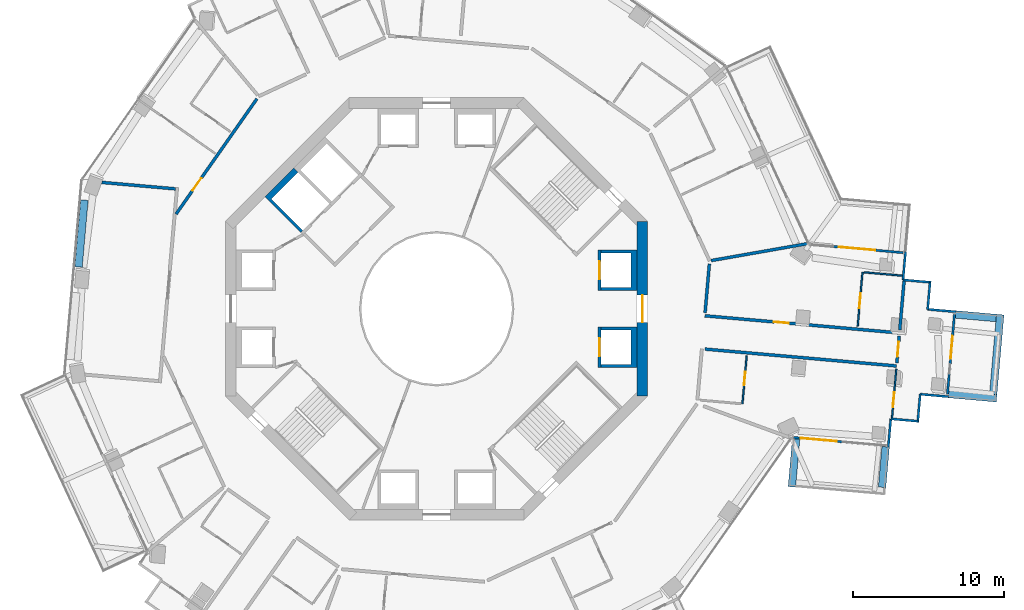
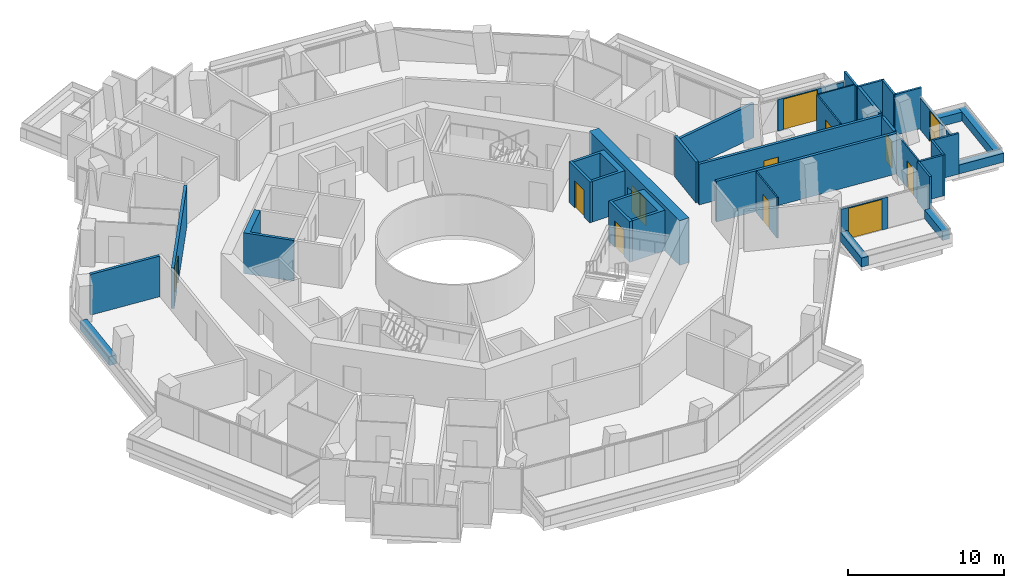
# One storey, part 17 of 23: 36 walls, 12 doors, 12 openings.
"""IFC4 building model written with IfcOpenShell, lengths in metres."""

from ifc_helpers import new_model, si_unit, direction, frame, frame_2d, origin, place, context, subcontext, project, spatial, polyline, rectangle, outline, extrude, material, layer, layer_set, type_object, element, fill, save


model = new_model("IFC4")

# Units and contexts
model_context = context("Model", 3, precision=1e-05, world=origin(), true_north=direction((0.0, 1.0)))
body_context = subcontext(model_context, "Body", "Model", "MODEL_VIEW")
ifc_project = project(units=[si_unit("LENGTHUNIT", "METRE"), si_unit("AREAUNIT", "SQUARE_METRE"), si_unit("VOLUMEUNIT", "CUBIC_METRE"), si_unit("PLANEANGLEUNIT", "RADIAN"), si_unit("MASSUNIT", "GRAM", prefix="KILO")], contexts=[model_context])

# Site, building, storey
site_placement = place(None, origin())
site = spatial("IfcSite", under=ifc_project, at=site_placement, CompositionType="ELEMENT")
building_placement = place(site_placement, origin())
building = spatial("IfcBuilding", under=site, at=building_placement, Name="Verdalira Terraces Hotel", CompositionType="ELEMENT")
storey_placement = place(building_placement, frame((0.0, 0.0, 136.5)))
storey = spatial("IfcBuildingStorey", under=building, at=storey_placement, Name="L32", CompositionType="ELEMENT", Elevation=136.5)

# Walls
ifc_material_1 = material(Name="Concrete C40", Category="concrete")
ifc_layer_1 = layer(ifc_material_1, 0.5)
ifc_layer_set_1 = layer_set([ifc_layer_1], Name="Balcony planter trough with tree")
wall_type_1 = type_object("IfcWallType", Name="Balcony planter trough with tree", PredefinedType="SOLIDWALL", material=ifc_layer_set_1)
wall_1_placement = place(storey_placement, frame((23.842529, -8.628906, 0.0), z_axis=(0.0, 0.0, 1.0), x_axis=(-0.08783813, -0.996134761, 0.0)))
element("IfcWall", 1, at=wall_1_placement, inside=storey, type_object=wall_type_1, Name="Balcony planter", PredefinedType="SOLIDWALL", context=body_context, shape_type="SweptSolid", body=[
    extrude(rectangle(XDim=3.199219, YDim=0.5, at=frame_2d((1.599609, 0.0))), origin(), (0.0, 0.0, 1.0), 0.699951),
])
wall_2_placement = place(storey_placement, frame((29.545898, -11.841309, 0.0), z_axis=(0.0, 0.0, 1.0), x_axis=(0.08783573, 0.996134973, 0.0)))
element("IfcWall", 2, at=wall_2_placement, inside=storey, type_object=wall_type_1, Name="Balcony planter", PredefinedType="SOLIDWALL", context=body_context, shape_type="SweptSolid", body=[
    extrude(rectangle(XDim=2.698975, YDim=0.5, at=frame_2d((1.349609, 0.0))), origin(), (0.0, 0.0, 1.0), 0.699951),
])
wall_3_placement = place(storey_placement, frame((33.957275, -5.655029, 0.0), z_axis=(0.0, 0.0, 1.0), x_axis=(0.996134761, -0.08783813, 0.0)))
element("IfcWall", 3, at=wall_3_placement, inside=storey, type_object=wall_type_1, Name="Balcony planter", PredefinedType="SOLIDWALL", context=body_context, shape_type="SweptSolid", body=[
    extrude(rectangle(XDim=3.199219, YDim=0.5, at=frame_2d((1.599609, 0.0))), origin(), (0.0, 0.0, 1.0), 0.699951),
])
wall_4_placement = place(storey_placement, frame((36.916992, -5.665039, 0.0), z_axis=(0.0, 0.0, 1.0), x_axis=(0.087844069, 0.996134238, 0.0)))
element("IfcWall", 4, at=wall_4_placement, inside=storey, type_object=wall_type_1, Name="Balcony planter", PredefinedType="SOLIDWALL", context=body_context, shape_type="SweptSolid", body=[
    extrude(rectangle(XDim=5.300049, YDim=0.5, at=frame_2d((2.649902, 0.0))), origin(), (0.0, 0.0, 1.0), 0.699951),
])
wall_5_placement = place(storey_placement, frame((37.111572, -0.612549, 0.0), z_axis=(0.0, 0.0, 1.0), x_axis=(-0.996134973, 0.08783573, 0.0)))
element("IfcWall", 5, at=wall_5_placement, inside=storey, type_object=wall_type_1, Name="Balcony planter", PredefinedType="SOLIDWALL", context=body_context, shape_type="SweptSolid", body=[
    extrude(rectangle(XDim=2.698975, YDim=0.5, at=frame_2d((1.349609, 0.0))), origin(), (0.0, 0.0, 1.0), 0.699951),
])

# Wall, opening, door
ifc_material_2 = material(Name="Moisture-resistant gypsum board partition")
ifc_layer_2 = layer(ifc_material_2, 0.10009765625)
ifc_layer_set_2 = layer_set([ifc_layer_2], Name="Bathroom partition 100 mm")
wall_type_2 = type_object("IfcWallType", Name="Bathroom partition 100 mm", PredefinedType="PARTITIONING", material=ifc_layer_set_2)
wall_6_placement = place(storey_placement, frame((20.282715, -6.306152, 0.0), z_axis=(0.0, 0.0, 1.0), x_axis=(0.08789381, 0.99612985, 0.0)))
wall_6 = element("IfcWall", 6, at=wall_6_placement, inside=storey, type_object=wall_type_2, Name="Bathroom partition", PredefinedType="PARTITIONING", context=body_context, shape_type="SweptSolid", body=[
    extrude(rectangle(XDim=3.199951, YDim=0.100098, at=frame_2d((1.600098, 0.0))), origin(), (0.0, 0.0, 1.0), 3.189941),
])
opening_1_placement = place(wall_6_placement, frame((1.25, 0.0, 0.0)))
opening_1 = element("IfcOpeningElement", 7, at=opening_1_placement, cuts=wall_6, Name="Opening L32-123", PredefinedType="OPENING", context=body_context, shape_type="SweptSolid", body=[
    extrude(rectangle(XDim=0.899902, YDim=2.100098, at=frame_2d((0.449951, 1.050049))), frame((0.0, 0.060059, 0.0), z_axis=(0.0, -1.0, 0.0), x_axis=(1.0, 0.0, 0.0)), (0.0, 0.0, 1.0), 0.120117),
])
ifc_material_3 = material(Name="Timber door", Category="wood")
door_type_1 = type_object("IfcDoorType", Name="Bathroom door 900 x 2100", OperationType="NOTDEFINED", PredefinedType="DOOR", material=ifc_material_3)
door_1_placement = place(opening_1_placement, origin())
door_1 = element("IfcDoor", 8, at=door_1_placement, inside=storey, type_object=door_type_1, Name="Bathroom door 3208", OperationType="SINGLE_SWING_LEFT", OverallHeight=2.10009765625, OverallWidth=0.89990234375, PredefinedType="DOOR", context=body_context, shape_type="SweptSolid", body=[
    extrude(rectangle(XDim=0.899902, YDim=2.100098, at=frame_2d((0.449951, 1.050049))), frame((0.0, 0.024902, 0.0), z_axis=(0.0, -1.0, 0.0), x_axis=(1.0, 0.0, 0.0)), (0.0, 0.0, 1.0), 0.050049),
])
fill(opening_1, door_1)

wall_7_placement = place(storey_placement, frame((28.244385, 2.427979, 0.0), z_axis=(0.0, 0.0, 1.0), x_axis=(-0.08789381, -0.99612985, 0.0)))
wall_7 = element("IfcWall", 9, at=wall_7_placement, inside=storey, type_object=wall_type_2, Name="Bathroom partition", PredefinedType="PARTITIONING", context=body_context, shape_type="SweptSolid", body=[
    extrude(rectangle(XDim=3.599854, YDim=0.100098, at=frame_2d((1.799805, 0.0))), origin(), (0.0, 0.0, 1.0), 3.189941),
])
opening_2_placement = place(wall_7_placement, frame((1.399902, 0.0, 0.0)))
opening_2 = element("IfcOpeningElement", 10, at=opening_2_placement, cuts=wall_7, Name="Opening L32-125", PredefinedType="OPENING", context=body_context, shape_type="SweptSolid", body=[
    extrude(rectangle(XDim=1.0, YDim=2.100098, at=frame_2d((0.5, 1.050049))), frame((0.0, 0.060059, 0.0), z_axis=(0.0, -1.0, 0.0), x_axis=(1.0, 0.0, 0.0)), (0.0, 0.0, 1.0), 0.120117),
])
ifc_material_4 = material(Name="Timber door", Category="wood")
door_type_2 = type_object("IfcDoorType", Name="Bathroom door 1000 x 2100", OperationType="NOTDEFINED", PredefinedType="DOOR", material=ifc_material_4)
door_2_placement = place(opening_2_placement, origin())
door_2 = element("IfcDoor", 11, at=door_2_placement, inside=storey, type_object=door_type_2, Name="Bathroom door 3209", OperationType="SINGLE_SWING_LEFT", OverallHeight=2.10009765625, OverallWidth=1.0, PredefinedType="DOOR", context=body_context, shape_type="SweptSolid", body=[
    extrude(rectangle(XDim=1.0, YDim=2.100098, at=frame_2d((0.5, 1.050049))), frame((0.0, 0.024902, 0.0), z_axis=(0.0, -1.0, 0.0), x_axis=(1.0, 0.0, 0.0)), (0.0, 0.0, 1.0), 0.050049),
])
fill(opening_2, door_2)

# Wall
wall_8_placement = place(storey_placement, frame((28.343994, 2.419189, 0.0), z_axis=(0.0, 0.0, 1.0), x_axis=(0.996138228, -0.087798804, 0.0)))
element("IfcWall", 12, at=wall_8_placement, inside=storey, type_object=wall_type_2, Name="Bathroom partition", PredefinedType="PARTITIONING", context=body_context, shape_type="SweptSolid", body=[
    extrude(rectangle(XDim=2.549805, YDim=0.100098, at=frame_2d((1.274902, 0.0))), origin(), (0.0, 0.0, 1.0), 3.189941),
])

# Wall, opening, door
wall_9_placement = place(storey_placement, frame((30.203125, -7.233398, 0.0), z_axis=(0.0, 0.0, 1.0), x_axis=(0.087909147, 0.996128497, 0.0)))
wall_9 = element("IfcWall", 13, at=wall_9_placement, inside=storey, type_object=wall_type_2, Name="Bathroom partition", PredefinedType="PARTITIONING", context=body_context, shape_type="SweptSolid", body=[
    extrude(rectangle(XDim=3.252197, YDim=0.100098, at=frame_2d((1.625977, 0.0))), origin(), (0.0, 0.0, 1.0), 3.189941),
])
opening_3_placement = place(wall_9_placement, frame((0.699951, 0.0, 0.0)))
opening_3 = element("IfcOpeningElement", 14, at=opening_3_placement, cuts=wall_9, Name="Opening L32-122", PredefinedType="OPENING", context=body_context, shape_type="SweptSolid", body=[
    extrude(rectangle(XDim=1.0, YDim=2.100098, at=frame_2d((0.5, 1.050049))), frame((0.0, 0.060059, 0.0), z_axis=(0.0, -1.0, 0.0), x_axis=(1.0, 0.0, 0.0)), (0.0, 0.0, 1.0), 0.120117),
])
ifc_material_5 = material(Name="Timber door", Category="wood")
door_type_3 = type_object("IfcDoorType", Name="Suite internal door 1000 x 2100", OperationType="NOTDEFINED", PredefinedType="DOOR", material=ifc_material_5)
door_3_placement = place(opening_3_placement, origin())
door_3 = element("IfcDoor", 15, at=door_3_placement, inside=storey, type_object=door_type_3, Name="Suite internal door 3208", OperationType="SINGLE_SWING_LEFT", OverallHeight=2.10009765625, OverallWidth=1.0, PredefinedType="DOOR", context=body_context, shape_type="SweptSolid", body=[
    extrude(rectangle(XDim=1.0, YDim=2.100098, at=frame_2d((0.5, 1.050049))), frame((0.0, 0.024902, 0.0), z_axis=(0.0, -1.0, 0.0), x_axis=(1.0, 0.0, 0.0)), (0.0, 0.0, 1.0), 0.050049),
])
fill(opening_3, door_3)

# Wall
ifc_material_6 = material(Name="Concrete C50", Category="concrete")
ifc_layer_3 = layer(ifc_material_6, 0.199951171875)
ifc_layer_set_3 = layer_set([ifc_layer_3], Name="Core RC wall 200 C50")
wall_type_3 = type_object("IfcWallType", Name="Core RC wall 200 C50", PredefinedType="SOLIDWALL", material=ifc_layer_set_3)
wall_10_placement = place(storey_placement, origin())
element("IfcWall", 16, at=wall_10_placement, inside=storey, type_object=wall_type_3, Name="L32 shaft wall E1", PredefinedType="SOLIDWALL", context=body_context, shape_type="SweptSolid", body=[
    extrude(outline(polyline([(13.300049, -3.899902), (10.899902, -3.899902), (10.899902, -3.699951), (12.899902, -3.699951), (12.899902, -1.399902), (10.899902, -1.399902), (10.899902, -1.199951), (13.300049, -1.199951), (13.300049, -3.899902)])), origin(), (0.0, 0.0, 1.0), 3.189941),
])

# Wall, opening, door
wall_11_placement = place(storey_placement, frame((10.800049, -1.199951, 0.0), z_axis=(0.0, 0.0, 1.0), x_axis=(0.0, -1.0, 0.0)))
wall_11 = element("IfcWall", 17, at=wall_11_placement, inside=storey, type_object=wall_type_3, Name="L32 shaft front wall E1", PredefinedType="SOLIDWALL", context=body_context, shape_type="SweptSolid", body=[
    extrude(rectangle(XDim=2.699951, YDim=0.199951, at=frame_2d((1.350098, 0.0))), origin(), (0.0, 0.0, 1.0), 3.189941),
])
opening_4_placement = place(wall_11_placement, frame((0.75, 0.0, 0.0)))
opening_4 = element("IfcOpeningElement", 18, at=opening_4_placement, cuts=wall_11, Name="Opening LD-L32-801", PredefinedType="OPENING", context=body_context, shape_type="SweptSolid", body=[
    extrude(rectangle(XDim=1.199951, YDim=2.100098, at=frame_2d((0.600098, 1.050049))), frame((0.0, 0.109863, 0.0), z_axis=(0.0, -1.0, 0.0), x_axis=(1.0, 0.0, 0.0)), (0.0, 0.0, 1.0), 0.219971),
])
ifc_material_7 = material(Name="Stainless steel", Category="steel")
door_type_4 = type_object("IfcDoorType", Name="Landing door 1200 x 2100", OperationType="NOTDEFINED", PredefinedType="DOOR", material=ifc_material_7)
door_4_placement = place(opening_4_placement, origin())
door_4 = element("IfcDoor", 19, at=door_4_placement, inside=storey, type_object=door_type_4, Name="Lift landing door LR1 L32", OperationType="DOUBLE_DOOR_SLIDING", OverallHeight=2.10009765625, OverallWidth=1.199951171875, PredefinedType="DOOR", context=body_context, shape_type="SweptSolid", body=[
    extrude(rectangle(XDim=1.199951, YDim=2.100098, at=frame_2d((0.600098, 1.050049))), frame((0.0, 0.024902, 0.0), z_axis=(0.0, -1.0, 0.0), x_axis=(1.0, 0.0, 0.0)), (0.0, 0.0, 1.0), 0.050049),
])
fill(opening_4, door_4)

# Wall
wall_12_placement = place(storey_placement, origin())
element("IfcWall", 20, at=wall_12_placement, inside=storey, type_object=wall_type_3, Name="L32 shaft wall E2", PredefinedType="SOLIDWALL", context=body_context, shape_type="SweptSolid", body=[
    extrude(outline(polyline([(13.300049, 3.899902), (13.300049, 1.199951), (10.899902, 1.199951), (10.899902, 1.399902), (12.899902, 1.399902), (12.899902, 3.699951), (10.899902, 3.699951), (10.899902, 3.899902), (13.300049, 3.899902)])), origin(), (0.0, 0.0, 1.0), 3.189941),
])

# Wall, opening, door
wall_13_placement = place(storey_placement, frame((10.800049, 1.199951, 0.0), z_axis=(0.0, 0.0, 1.0), x_axis=(0.0, 1.0, 0.0)))
wall_13 = element("IfcWall", 21, at=wall_13_placement, inside=storey, type_object=wall_type_3, Name="L32 shaft front wall E2", PredefinedType="SOLIDWALL", context=body_context, shape_type="SweptSolid", body=[
    extrude(rectangle(XDim=2.699951, YDim=0.199951, at=frame_2d((1.350098, 0.0))), origin(), (0.0, 0.0, 1.0), 3.189941),
])
opening_5_placement = place(wall_13_placement, frame((0.75, 0.0, 0.0)))
opening_5 = element("IfcOpeningElement", 22, at=opening_5_placement, cuts=wall_13, Name="Opening LD-L32-802", PredefinedType="OPENING", context=body_context, shape_type="SweptSolid", body=[
    extrude(rectangle(XDim=1.199951, YDim=2.100098, at=frame_2d((0.600098, 1.050049))), frame((0.0, 0.109863, 0.0), z_axis=(0.0, -1.0, 0.0), x_axis=(1.0, 0.0, 0.0)), (0.0, 0.0, 1.0), 0.219971),
])
door_5_placement = place(opening_5_placement, origin())
door_5 = element("IfcDoor", 23, at=door_5_placement, inside=storey, type_object=door_type_4, Name="Lift landing door LR2 L32", OperationType="DOUBLE_DOOR_SLIDING", OverallHeight=2.10009765625, OverallWidth=1.199951171875, PredefinedType="DOOR", context=body_context, shape_type="SweptSolid", body=[
    extrude(rectangle(XDim=1.199951, YDim=2.100098, at=frame_2d((0.600098, 1.050049))), frame((0.0, 0.024902, 0.0), z_axis=(0.0, -1.0, 0.0), x_axis=(1.0, 0.0, 0.0)), (0.0, 0.0, 1.0), 0.050049),
])
fill(opening_5, door_5)

# Wall
wall_14_placement = place(storey_placement, origin())
element("IfcWall", 24, at=wall_14_placement, inside=storey, type_object=wall_type_3, Name="L32 shaft wall F2", PredefinedType="SOLIDWALL", context=body_context, shape_type="SweptSolid", body=[
    extrude(outline(polyline([(-11.384521, 7.424561), (-9.475098, 9.33374), (-9.192383, 9.051025), (-10.960205, 7.283203), (-8.874268, 5.197266), (-9.015625, 5.055908), (-11.384521, 7.424561)])), origin(), (0.0, 0.0, 1.0), 3.189941),
])

# Wall, opening, door
ifc_material_8 = material(Name="Concrete C60", Category="concrete")
ifc_layer_4 = layer(ifc_material_8, 0.699951171875)
ifc_layer_set_4 = layer_set([ifc_layer_4], Name="Core wall 700 C60")
wall_type_4 = type_object("IfcWallType", Name="Core wall 700 C60", PredefinedType="SHEAR", material=ifc_layer_set_4)
wall_15_placement = place(storey_placement, frame((13.649902, -5.799072, 0.0), z_axis=(0.0, 0.0, 1.0), x_axis=(0.0, 1.0, 0.0)))
wall_15 = element("IfcWall", 25, at=wall_15_placement, inside=storey, type_object=wall_type_4, Name="Core wall CW-L32-1", PredefinedType="SHEAR", context=body_context, shape_type="SweptSolid", body=[
    extrude(rectangle(XDim=11.598145, YDim=0.699951, at=frame_2d((5.799072, 0.0))), origin(), (0.0, 0.0, 1.0), 3.5),
])
opening_6_placement = place(wall_15_placement, frame((4.898926, 0.0, 0.0)))
opening_6 = element("IfcOpeningElement", 26, at=opening_6_placement, cuts=wall_15, Name="Opening L32-812", PredefinedType="OPENING", context=body_context, shape_type="SweptSolid", body=[
    extrude(rectangle(XDim=1.800049, YDim=2.100098, at=frame_2d((0.899902, 1.050049))), frame((0.0, 0.359863, 0.0), z_axis=(0.0, -1.0, 0.0), x_axis=(1.0, 0.0, 0.0)), (0.0, 0.0, 1.0), 0.719971),
])
ifc_material_9 = material(Name="Steel fire door", Category="steel")
door_type_5 = type_object("IfcDoorType", Name="Core entry door pair 1800 x 2100", OperationType="NOTDEFINED", PredefinedType="DOOR", material=ifc_material_9)
door_6_placement = place(opening_6_placement, origin())
door_6 = element("IfcDoor", 27, at=door_6_placement, inside=storey, type_object=door_type_5, Name="Core entry door L32 0", OperationType="DOUBLE_DOOR_SINGLE_SWING", OverallHeight=2.10009765625, OverallWidth=1.800048828125, PredefinedType="DOOR", context=body_context, shape_type="SweptSolid", body=[
    extrude(rectangle(XDim=1.800049, YDim=2.100098, at=frame_2d((0.899902, 1.050049))), frame((0.0, 0.024902, 0.0), z_axis=(0.0, -1.0, 0.0), x_axis=(1.0, 0.0, 0.0)), (0.0, 0.0, 1.0), 0.050049),
])
fill(opening_6, door_6)

# Walls
ifc_material_10 = material(Name="Fire-rated gypsum board wall")
ifc_layer_5 = layer(ifc_material_10, 0.199951171875)
ifc_layer_set_5 = layer_set([ifc_layer_5], Name="Demising wall 200 mm")
wall_type_5 = type_object("IfcWallType", Name="Demising wall 200 mm", PredefinedType="SOLIDWALL", material=ifc_layer_set_5)
wall_16_placement = place(storey_placement, frame((30.717041, -1.406006, 0.0), z_axis=(0.0, 0.0, 1.0), x_axis=(0.087834654, 0.996135068, 0.0)))
element("IfcWall", 28, at=wall_16_placement, inside=storey, type_object=wall_type_5, Name="Demising wall", PredefinedType="SOLIDWALL", context=body_context, shape_type="SweptSolid", body=[
    extrude(rectangle(XDim=3.251953, YDim=0.199951, at=frame_2d((1.625977, 0.0))), origin(), (0.0, 0.0, 1.0), 3.189941),
])
ifc_material_11 = material(Name="Fire-rated gypsum board wall")
ifc_layer_6 = layer(ifc_material_11, 0.199951171875)
ifc_layer_set_6 = layer_set([ifc_layer_6], Name="Demising wall 200 mm to beam soffit")
wall_type_6 = type_object("IfcWallType", Name="Demising wall 200 mm to beam soffit", PredefinedType="SOLIDWALL", material=ifc_layer_set_6)
wall_17_placement = place(storey_placement, frame((18.209717, 3.197754, 0.0), z_axis=(0.0, 0.0, 1.0), x_axis=(0.984927066, 0.172970158, 0.0)))
element("IfcWall", 29, at=wall_17_placement, inside=storey, type_object=wall_type_6, Name="Demising wall", PredefinedType="SOLIDWALL", context=body_context, shape_type="SweptSolid", body=[
    extrude(rectangle(XDim=6.47583, YDim=0.199951, at=frame_2d((3.237793, 0.0))), origin(), (0.0, 0.0, 1.0), 2.689941),
])

# Wall, opening, door
ifc_material_12 = material(Name="Fire-rated gypsum board wall")
ifc_layer_7 = layer(ifc_material_12, 0.199951171875)
ifc_layer_set_7 = layer_set([ifc_layer_7], Name="Guest corridor wall 200 mm")
wall_type_7 = type_object("IfcWallType", Name="Guest corridor wall 200 mm", PredefinedType="SOLIDWALL", material=ifc_layer_set_7)
wall_18_placement = place(storey_placement, frame((-17.283203, 6.283691, 0.0), z_axis=(0.0, 0.0, 1.0), x_axis=(0.574151841, 0.81874884, 0.0)))
wall_18 = element("IfcWall", 30, at=wall_18_placement, inside=storey, type_object=wall_type_7, Name="Guest corridor wall", PredefinedType="SOLIDWALL", context=body_context, shape_type="SweptSolid", body=[
    extrude(rectangle(XDim=9.336426, YDim=0.199951, at=frame_2d((4.668213, 0.0))), origin(), (0.0, 0.0, 1.0), 3.189941),
])
opening_7_placement = place(wall_18_placement, frame((1.899902, 0.0, 0.0)))
opening_7 = element("IfcOpeningElement", 31, at=opening_7_placement, cuts=wall_18, Name="Opening L32-106", PredefinedType="OPENING", context=body_context, shape_type="SweptSolid", body=[
    extrude(rectangle(XDim=1.0, YDim=2.100098, at=frame_2d((0.5, 1.050049))), frame((0.0, 0.109863, 0.0), z_axis=(0.0, -1.0, 0.0), x_axis=(1.0, 0.0, 0.0)), (0.0, 0.0, 1.0), 0.219971),
])
ifc_material_13 = material(Name="Timber fire door", Category="wood")
door_type_6 = type_object("IfcDoorType", Name="Guest entry door 1000 x 2100", OperationType="NOTDEFINED", PredefinedType="DOOR", material=ifc_material_13)
door_7_placement = place(opening_7_placement, origin())
door_7 = element("IfcDoor", 32, at=door_7_placement, inside=storey, type_object=door_type_6, Name="Guest entry door 3203", OperationType="SINGLE_SWING_LEFT", OverallHeight=2.10009765625, OverallWidth=1.0, PredefinedType="DOOR", context=body_context, shape_type="SweptSolid", body=[
    extrude(rectangle(XDim=1.0, YDim=2.100098, at=frame_2d((0.5, 1.050049))), frame((0.0, 0.024902, 0.0), z_axis=(0.0, -1.0, 0.0), x_axis=(1.0, 0.0, 0.0)), (0.0, 0.0, 1.0), 0.050049),
])
fill(opening_7, door_7)

# Walls
wall_19_placement = place(storey_placement, frame((17.803955, -0.265137, 0.0), z_axis=(0.0, 0.0, 1.0), x_axis=(0.087812903, 0.996136986, 0.0)))
element("IfcWall", 33, at=wall_19_placement, inside=storey, type_object=wall_type_7, Name="Guest corridor wall", PredefinedType="SOLIDWALL", context=body_context, shape_type="SweptSolid", body=[
    extrude(rectangle(XDim=3.258545, YDim=0.199951, at=frame_2d((1.629395, 0.0))), origin(), (0.0, 0.0, 1.0), 3.189941),
])
wall_20_placement = place(storey_placement, frame((17.792236, -2.67334, 0.0), z_axis=(0.0, 0.0, 1.0), x_axis=(0.996133396, -0.087853617, 0.0)))
element("IfcWall", 34, at=wall_20_placement, inside=storey, type_object=wall_type_7, Name="Guest corridor wall", PredefinedType="SOLIDWALL", context=body_context, shape_type="SweptSolid", body=[
    extrude(rectangle(XDim=12.763672, YDim=0.199951, at=frame_2d((6.381836, 0.0))), origin(), (0.0, 0.0, 1.0), 3.189941),
])

# Wall, opening, door
wall_21_placement = place(storey_placement, frame((17.786377, -0.464355, 0.0), z_axis=(0.0, 0.0, 1.0), x_axis=(0.996133196, -0.087855886, 0.0)))
wall_21 = element("IfcWall", 35, at=wall_21_placement, inside=storey, type_object=wall_type_7, Name="Guest corridor wall", PredefinedType="SOLIDWALL", context=body_context, shape_type="SweptSolid", body=[
    extrude(rectangle(XDim=12.963379, YDim=0.199951, at=frame_2d((6.481689, 0.0))), origin(), (0.0, 0.0, 1.0), 3.189941),
])
opening_8_placement = place(wall_21_placement, frame((4.600098, 0.0, 0.0)))
opening_8 = element("IfcOpeningElement", 36, at=opening_8_placement, cuts=wall_21, Name="Opening L32-124", PredefinedType="OPENING", context=body_context, shape_type="SweptSolid", body=[
    extrude(rectangle(XDim=1.0, YDim=2.100098, at=frame_2d((0.5, 1.050049))), frame((0.0, 0.109863, 0.0), z_axis=(0.0, -1.0, 0.0), x_axis=(1.0, 0.0, 0.0)), (0.0, 0.0, 1.0), 0.219971),
])
door_8_placement = place(opening_8_placement, origin())
door_8 = element("IfcDoor", 37, at=door_8_placement, inside=storey, type_object=door_type_6, Name="Guest entry door 3209", OperationType="SINGLE_SWING_LEFT", OverallHeight=2.10009765625, OverallWidth=1.0, PredefinedType="DOOR", context=body_context, shape_type="SweptSolid", body=[
    extrude(rectangle(XDim=1.0, YDim=2.100098, at=frame_2d((0.5, 1.050049))), frame((0.0, 0.024902, 0.0), z_axis=(0.0, -1.0, 0.0), x_axis=(1.0, 0.0, 0.0)), (0.0, 0.0, 1.0), 0.050049),
])
fill(opening_8, door_8)

wall_22_placement = place(storey_placement, frame((30.682373, -1.800293, 0.0), z_axis=(0.0, 0.0, 1.0), x_axis=(-0.08782667, -0.996135772, 0.0)))
wall_22 = element("IfcWall", 38, at=wall_22_placement, inside=storey, type_object=wall_type_7, Name="Guest corridor wall", PredefinedType="SOLIDWALL", context=body_context, shape_type="SweptSolid", body=[
    extrude(rectangle(XDim=1.804199, YDim=0.199951, at=frame_2d((0.9021, 0.0))), origin(), (0.0, 0.0, 1.0), 3.189941),
])
opening_9_placement = place(wall_22_placement, frame((0.399902, 0.0, 0.0)))
opening_9 = element("IfcOpeningElement", 39, at=opening_9_placement, cuts=wall_22, Name="Opening L32-121", PredefinedType="OPENING", context=body_context, shape_type="SweptSolid", body=[
    extrude(rectangle(XDim=1.0, YDim=2.100098, at=frame_2d((0.5, 1.050049))), frame((0.0, 0.109863, 0.0), z_axis=(0.0, -1.0, 0.0), x_axis=(1.0, 0.0, 0.0)), (0.0, 0.0, 1.0), 0.219971),
])
door_9_placement = place(opening_9_placement, origin())
door_9 = element("IfcDoor", 40, at=door_9_placement, inside=storey, type_object=door_type_6, Name="Guest entry door 3208", OperationType="SINGLE_SWING_LEFT", OverallHeight=2.10009765625, OverallWidth=1.0, PredefinedType="DOOR", context=body_context, shape_type="SweptSolid", body=[
    extrude(rectangle(XDim=1.0, YDim=2.100098, at=frame_2d((0.5, 1.050049))), frame((0.0, 0.024902, 0.0), z_axis=(0.0, -1.0, 0.0), x_axis=(1.0, 0.0, 0.0)), (0.0, 0.0, 1.0), 0.050049),
])
fill(opening_9, door_9)

# Walls
ifc_material_14 = material(Name="Terracotta cladding", Category="masonry")
ifc_layer_8 = layer(ifc_material_14, 0.199951171875)
ifc_layer_set_8 = layer_set([ifc_layer_8], Name="Loggia back wall 200")
wall_type_8 = type_object("IfcWallType", Name="Loggia back wall 200", PredefinedType="SOLIDWALL", material=ifc_layer_set_8)
wall_23_placement = place(storey_placement, frame((-22.211914, 8.383789, 0.0), z_axis=(0.0, 0.0, 1.0), x_axis=(0.996132413, -0.087864753, 0.0)))
element("IfcWall", 41, at=wall_23_placement, inside=storey, type_object=wall_type_8, Name="Loggia side wall", PredefinedType="SOLIDWALL", context=body_context, shape_type="SweptSolid", body=[
    extrude(rectangle(XDim=4.904297, YDim=0.199951, at=frame_2d((2.452148, 0.0))), origin(), (0.0, 0.0, 1.0), 3.189941),
])
ifc_material_15 = material(Name="Concrete C40", Category="concrete")
ifc_layer_9 = layer(ifc_material_15, 0.5)
ifc_layer_set_9 = layer_set([ifc_layer_9], Name="Loggia planter trough with tree")
wall_type_9 = type_object("IfcWallType", Name="Loggia planter trough with tree", PredefinedType="SOLIDWALL", material=ifc_layer_set_9)
wall_24_placement = place(storey_placement, frame((-23.36499, 7.212646, 0.0), z_axis=(0.0, 0.0, 1.0), x_axis=(-0.087858642, -0.996132953, 0.0)))
element("IfcWall", 42, at=wall_24_placement, inside=storey, type_object=wall_type_9, Name="Loggia planter", PredefinedType="SOLIDWALL", context=body_context, shape_type="SweptSolid", body=[
    extrude(rectangle(XDim=4.457275, YDim=0.5, at=frame_2d((2.228516, 0.0))), origin(), (0.0, 0.0, 1.0), 0.699951),
])
ifc_material_16 = material(Name="Terracotta cladding", Category="masonry")
ifc_layer_10 = layer(ifc_material_16, 0.14990234375)
ifc_layer_set_10 = layer_set([ifc_layer_10], Name="Terracotta clad wall 150")
wall_type_10 = type_object("IfcWallType", Name="Terracotta clad wall 150", PredefinedType="SOLIDWALL", material=ifc_layer_set_10)
wall_25_placement = place(storey_placement, frame((29.957275, -9.167236, 0.0), z_axis=(0.0, 0.0, 1.0), x_axis=(0.08789381, 0.99612985, 0.0)))
element("IfcWall", 43, at=wall_25_placement, inside=storey, type_object=wall_type_10, Name="Terracotta cladding wall", PredefinedType="SOLIDWALL", context=body_context, shape_type="SweptSolid", body=[
    extrude(rectangle(XDim=1.875, YDim=0.149902, at=frame_2d((0.9375, 0.0))), origin(), (0.0, 0.0, 1.0), 3.189941),
])
wall_26_placement = place(storey_placement, frame((30.12207, -7.299561, 0.0), z_axis=(0.0, 0.0, 1.0), x_axis=(0.996141717, -0.087759217, 0.0)))
element("IfcWall", 44, at=wall_26_placement, inside=storey, type_object=wall_type_10, Name="Terracotta cladding wall", PredefinedType="SOLIDWALL", context=body_context, shape_type="SweptSolid", body=[
    extrude(rectangle(XDim=1.799805, YDim=0.149902, at=frame_2d((0.899902, 0.0))), origin(), (0.0, 0.0, 1.0), 3.189941),
])
for number, where, z_axis, x_axis, name in (
    (45, (31.908447, -7.532227, 0.0), (0.0, 0.0, 1.0), (0.08789381, 0.99612985, 0.0), "Terracotta cladding wall"),
    (46, (32.073242, -5.664551, 0.0), (0.0, 0.0, 1.0), (0.99612985, -0.08789381, 0.0), "Terracotta cladding wall"),
    (47, (34.437256, -0.201172, 0.0), (0.0, 0.0, 1.0), (-0.99612985, 0.08789381, 0.0), "Terracotta cladding wall"),
):
    element("IfcWall", number, at=place(storey_placement, frame(where, z_axis=z_axis, x_axis=x_axis)), inside=storey, type_object=wall_type_10, Name=name, PredefinedType="SOLIDWALL", context=body_context, shape_type="SweptSolid", body=[
        extrude(rectangle(XDim=1.875, YDim=0.149902, at=frame_2d((0.9375, 0.0))), origin(), (0.0, 0.0, 1.0), 3.189941),
    ])
wall_27_placement = place(storey_placement, frame((32.56958, -0.036377, 0.0), z_axis=(0.0, 0.0, 1.0), x_axis=(0.08789381, 0.99612985, 0.0)))
element("IfcWall", 48, at=wall_27_placement, inside=storey, type_object=wall_type_10, Name="Terracotta cladding wall", PredefinedType="SOLIDWALL", context=body_context, shape_type="SweptSolid", body=[
    extrude(rectangle(XDim=1.800049, YDim=0.149902, at=frame_2d((0.899902, 0.0))), origin(), (0.0, 0.0, 1.0), 3.189941),
])
for number, where, z_axis, x_axis, name in (
    (49, (32.80249, 1.75, 0.0), (0.0, 0.0, 1.0), (-0.99612985, 0.08789381, 0.0), "Terracotta cladding wall"),
    (50, (30.934814, 1.914795, 0.0), (0.0, 0.0, 1.0), (0.087764601, 0.996141242, 0.0), "Terracotta cladding wall"),
):
    element("IfcWall", number, at=place(storey_placement, frame(where, z_axis=z_axis, x_axis=x_axis)), inside=storey, type_object=wall_type_10, Name=name, PredefinedType="SOLIDWALL", context=body_context, shape_type="SweptSolid", body=[
        extrude(rectangle(XDim=1.875, YDim=0.149902, at=frame_2d((0.9375, 0.0))), origin(), (0.0, 0.0, 1.0), 3.189941),
    ])
ifc_material_17 = material(Name="Terracotta cladding", Category="masonry")
ifc_layer_11 = layer(ifc_material_17, 0.14990234375)
ifc_layer_set_11 = layer_set([ifc_layer_11], Name="Terracotta column pier 150")
wall_type_11 = type_object("IfcWallType", Name="Terracotta column pier 150", PredefinedType="SOLIDWALL", material=ifc_layer_set_11)
wall_28_placement = place(storey_placement, frame((33.879883, -5.668213, 0.0), z_axis=(0.0, 0.0, 1.0), x_axis=(0.087883468, 0.996130763, 0.0)))
element("IfcWall", 51, at=wall_28_placement, inside=storey, type_object=wall_type_11, Name="Terracotta column pier", PredefinedType="SOLIDWALL", context=body_context, shape_type="SweptSolid", body=[
    extrude(rectangle(XDim=1.37793, YDim=0.149902, at=frame_2d((0.688965, 0.0))), origin(), (0.0, 0.0, 1.0), 2.475098),
])

# Wall, opening, door
ifc_material_18 = material(Name="Terracotta cladding", Category="masonry")
ifc_layer_12 = layer(ifc_material_18, 0.14990234375)
ifc_layer_set_12 = layer_set([ifc_layer_12], Name="Terracotta door pier 150")
wall_type_12 = type_object("IfcWallType", Name="Terracotta door pier 150", PredefinedType="SOLIDWALL", material=ifc_layer_set_12)
wall_29_placement = place(storey_placement, frame((23.669922, -8.537354, 0.0), z_axis=(0.0, 0.0, 1.0), x_axis=(0.99613443, -0.087841889, 0.0)))
wall_29 = element("IfcWall", 52, at=wall_29_placement, inside=storey, type_object=wall_type_12, Name="Terracotta door pier", PredefinedType="SOLIDWALL", context=body_context, shape_type="SweptSolid", body=[
    extrude(rectangle(XDim=3.293457, YDim=0.149902, at=frame_2d((1.646729, 0.0))), origin(), (0.0, 0.0, 1.0), 2.475098),
])
opening_10_placement = place(wall_29_placement, frame((0.493652, 0.0, 0.0)))
opening_10 = element("IfcOpeningElement", 53, at=opening_10_placement, cuts=wall_29, Name="Opening L32-B08", PredefinedType="OPENING", context=body_context, shape_type="SweptSolid", body=[
    extrude(rectangle(XDim=2.399902, YDim=2.399902, at=frame_2d((1.199951, 1.199951))), frame((0.0, 0.084961, 0.0), z_axis=(0.0, -1.0, 0.0), x_axis=(1.0, 0.0, 0.0)), (0.0, 0.0, 1.0), 0.169922),
])
ifc_material_19 = material(Name="Clear glass", Category="glass")
door_type_7 = type_object("IfcDoorType", Name="Balcony sliding door 2400x2400", OperationType="NOTDEFINED", PredefinedType="DOOR", material=ifc_material_19)
door_10_placement = place(opening_10_placement, origin())
door_10 = element("IfcDoor", 54, at=door_10_placement, inside=storey, type_object=door_type_7, Name="Balcony sliding door", OperationType="SLIDING_TO_LEFT", OverallHeight=2.39990234375, OverallWidth=2.39990234375, PredefinedType="DOOR", context=body_context, shape_type="SweptSolid", body=[
    extrude(rectangle(XDim=2.399902, YDim=2.399902, at=frame_2d((1.199951, 1.199951))), frame((0.0, 0.024902, 0.0), z_axis=(0.0, -1.0, 0.0), x_axis=(1.0, 0.0, 0.0)), (0.0, 0.0, 1.0), 0.050049),
])
fill(opening_10, door_10)

wall_30_placement = place(storey_placement, frame((34.053955, -3.696045, 0.0), z_axis=(0.0, 0.0, 1.0), x_axis=(0.087842919, 0.996134339, 0.0)))
wall_30 = element("IfcWall", 55, at=wall_30_placement, inside=storey, type_object=wall_type_12, Name="Terracotta door pier", PredefinedType="SOLIDWALL", context=body_context, shape_type="SweptSolid", body=[
    extrude(rectangle(XDim=3.360107, YDim=0.149902, at=frame_2d((1.680176, 0.0))), origin(), (0.0, 0.0, 1.0), 2.475098),
])
opening_11_placement = place(wall_30_placement, frame((0.399902, 0.0, 0.0)))
opening_11 = element("IfcOpeningElement", 56, at=opening_11_placement, cuts=wall_30, Name="Opening L32-B09", PredefinedType="OPENING", context=body_context, shape_type="SweptSolid", body=[
    extrude(rectangle(XDim=1.5, YDim=2.399902, at=frame_2d((0.75, 1.199951))), frame((0.0, 0.084961, 0.0), z_axis=(0.0, -1.0, 0.0), x_axis=(1.0, 0.0, 0.0)), (0.0, 0.0, 1.0), 0.169922),
])
ifc_material_20 = material(Name="Clear glass", Category="glass")
door_type_8 = type_object("IfcDoorType", Name="Balcony sliding door 1500x2400", OperationType="NOTDEFINED", PredefinedType="DOOR", material=ifc_material_20)
door_11_placement = place(opening_11_placement, origin())
door_11 = element("IfcDoor", 57, at=door_11_placement, inside=storey, type_object=door_type_8, Name="Balcony sliding door", OperationType="SLIDING_TO_RIGHT", OverallHeight=2.39990234375, OverallWidth=1.5, PredefinedType="DOOR", context=body_context, shape_type="SweptSolid", body=[
    extrude(rectangle(XDim=1.5, YDim=2.399902, at=frame_2d((0.75, 1.199951))), frame((0.0, 0.024902, 0.0), z_axis=(0.0, -1.0, 0.0), x_axis=(1.0, 0.0, 0.0)), (0.0, 0.0, 1.0), 0.050049),
])
fill(opening_11, door_11)

wall_31_placement = place(storey_placement, frame((30.948486, 3.720459, 0.0), z_axis=(0.0, 0.0, 1.0), x_axis=(-0.996133076, 0.087857246, 0.0)))
wall_31 = element("IfcWall", 58, at=wall_31_placement, inside=storey, type_object=wall_type_12, Name="Terracotta door pier", PredefinedType="SOLIDWALL", context=body_context, shape_type="SweptSolid", body=[
    extrude(rectangle(XDim=4.676758, YDim=0.149902, at=frame_2d((2.338379, 0.0))), origin(), (0.0, 0.0, 1.0), 2.475098),
])
opening_12_placement = place(wall_31_placement, frame((1.876709, 0.0, 0.0)))
opening_12 = element("IfcOpeningElement", 59, at=opening_12_placement, cuts=wall_31, Name="Opening L32-B10", PredefinedType="OPENING", context=body_context, shape_type="SweptSolid", body=[
    extrude(rectangle(XDim=2.399902, YDim=2.399902, at=frame_2d((1.199951, 1.199951))), frame((0.0, 0.084961, 0.0), z_axis=(0.0, -1.0, 0.0), x_axis=(1.0, 0.0, 0.0)), (0.0, 0.0, 1.0), 0.169922),
])
door_12_placement = place(opening_12_placement, origin())
door_12 = element("IfcDoor", 60, at=door_12_placement, inside=storey, type_object=door_type_7, Name="Balcony sliding door", OperationType="SLIDING_TO_LEFT", OverallHeight=2.39990234375, OverallWidth=2.39990234375, PredefinedType="DOOR", context=body_context, shape_type="SweptSolid", body=[
    extrude(rectangle(XDim=2.399902, YDim=2.399902, at=frame_2d((1.199951, 1.199951))), frame((0.0, 0.024902, 0.0), z_axis=(0.0, -1.0, 0.0), x_axis=(1.0, 0.0, 0.0)), (0.0, 0.0, 1.0), 0.050049),
])
fill(opening_12, door_12)

save(model, "model.ifc")
